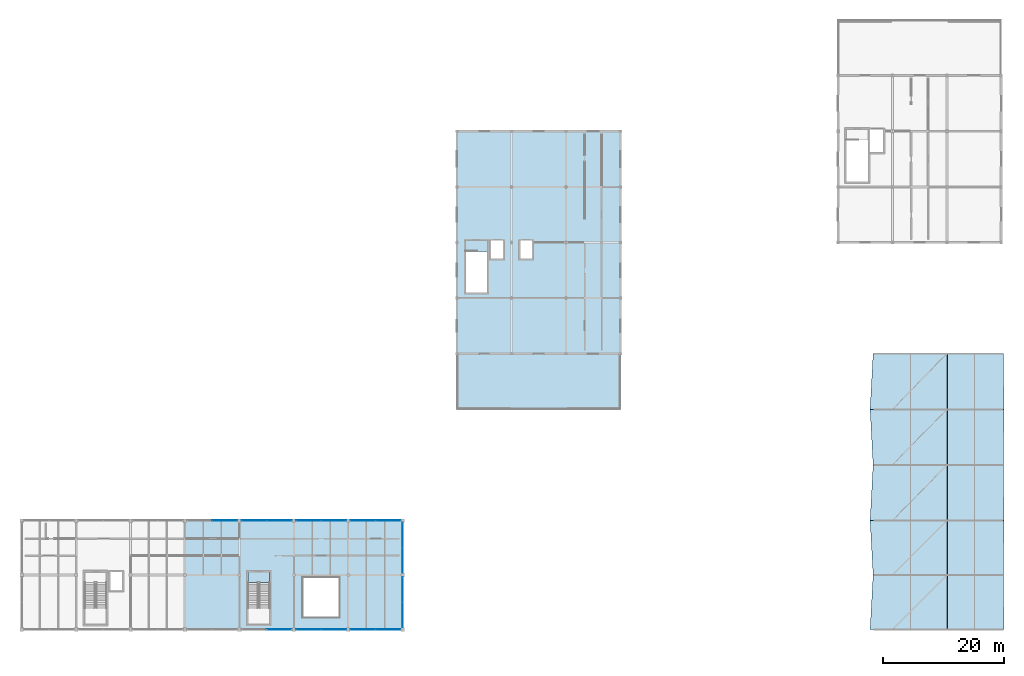
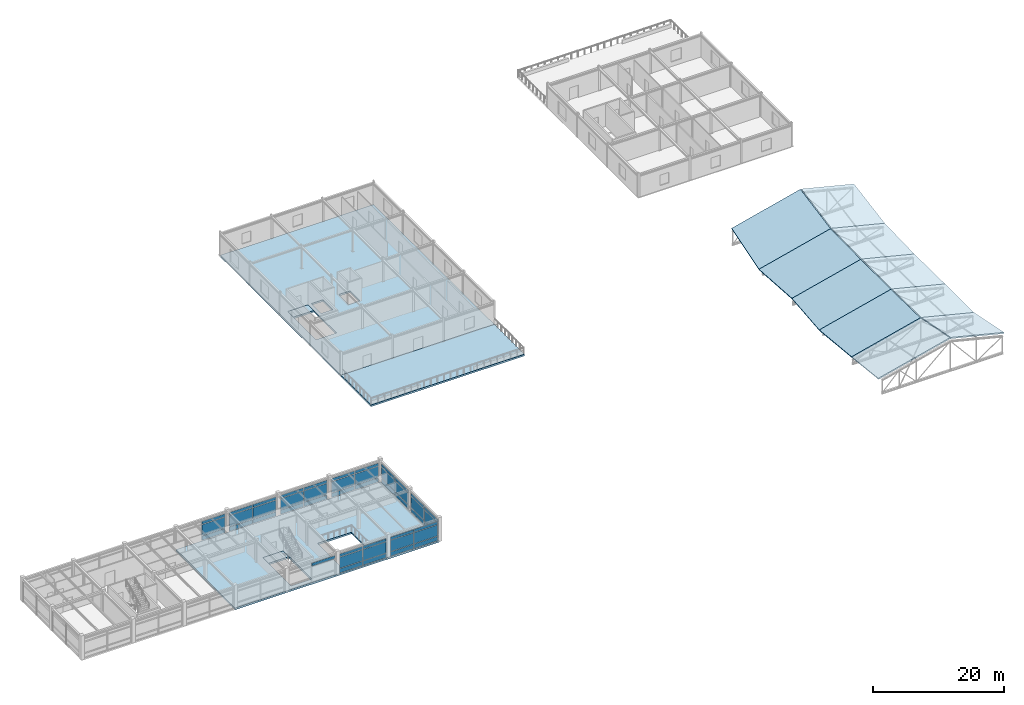
# One storey, part 22 of 33: 46 plates, 15 slabs, 9 elements without a shape of their own.
"""IFC4 building model written with IfcOpenShell, lengths in metres."""

from ifc_helpers import new_model, si_unit, direction, frame, origin, origin_2d, place, context, subcontext, project, spatial, polyline, rectangle, outline, extrude, material, layer, layer_set, type_object, element, aggregate, save


model = new_model("IFC4")

# Units and contexts
model_context = context("Model", 3, precision=1e-05, world=origin(), true_north=direction((0.0, 1.0)))
body_context = subcontext(model_context, "Body", "Model", "MODEL_VIEW")
ifc_project = project(units=[si_unit("LENGTHUNIT", "METRE"), si_unit("AREAUNIT", "SQUARE_METRE"), si_unit("VOLUMEUNIT", "CUBIC_METRE"), si_unit("PLANEANGLEUNIT", "RADIAN"), si_unit("MASSUNIT", "GRAM", prefix="KILO")], contexts=[model_context])

# Site, building, storey
site_placement = place(None, origin())
site = spatial("IfcSite", under=ifc_project, at=site_placement, CompositionType="ELEMENT")
building_placement = place(site_placement, origin())
building = spatial("IfcBuilding", under=site, at=building_placement, Name="Bozkorgan Art Gallery", CompositionType="ELEMENT")
storey_placement = place(building_placement, frame((0.0, 0.0, 19.5)))
storey = spatial("IfcBuildingStorey", under=building, at=storey_placement, Name="L04", CompositionType="ELEMENT", Elevation=19.5)

# Curtain wall, plates
ifc_material_1 = material(Name="Anodised Bronze Aluminium", Category="aluminium")
curtain_wall_type = type_object("IfcCurtainWallType", Name="CW-CW-71", PredefinedType="NOTDEFINED", material=ifc_material_1)
curtain_wall_1_placement = place(storey_placement, origin())
curtain_wall_1 = element("IfcCurtainWall", 1, at=curtain_wall_1_placement, inside=storey, type_object=curtain_wall_type, Name="L04 unitised curtain wall CW-V1-L04-1N-08", PredefinedType="NOTDEFINED")
ifc_material_2 = material(Name="Triple Low-E Laminated Glass", Category="glass")
ifc_layer_1 = layer(ifc_material_2, 0.0439453125, Name="Triple Low-E Laminated Glass")
ifc_layer_set_1 = layer_set([ifc_layer_1], Name="Triple Low-E Laminated Glass")
plate_type = type_object("IfcPlateType", Name="CWP-GLZ", PredefinedType="CURTAIN_PANEL", material=ifc_layer_set_1)
plate_1_placement = place(storey_placement, frame((35.576171875, 20.0, 0.10009765625), z_axis=(0.0, 0.0, 1.0), x_axis=(1.0, 0.0, 0.0)))
plate_1 = element("IfcPlate", 2, at=plate_1_placement, type_object=plate_type, Name="CW-71 panel 2.1", PredefinedType="CURTAIN_PANEL", context=body_context, shape_type="SweptSolid", body=[
    extrude(rectangle(XDim=4.08740234375, YDim=0.0439453125, at=origin_2d()), origin(), (0.0, 0.0, 1.0), 0.780029296875),
])
plate_2_placement = place(storey_placement, frame((35.576171875, 20.0, 0.9599609375), z_axis=(0.0, 0.0, 1.0), x_axis=(1.0, 0.0, 0.0)))
plate_2 = element("IfcPlate", 3, at=plate_2_placement, type_object=plate_type, Name="CW-71 panel 2.2", PredefinedType="CURTAIN_PANEL", context=body_context, shape_type="SweptSolid", body=[
    extrude(rectangle(XDim=4.08740234375, YDim=0.0439453125, at=origin_2d()), origin(), (0.0, 0.0, 1.0), 2.06494140625),
])
plate_3_placement = place(storey_placement, frame((35.576171875, 20.0, 3.10498046875), z_axis=(0.0, 0.0, 1.0), x_axis=(1.0, 0.0, 0.0)))
plate_3 = element("IfcPlate", 4, at=plate_3_placement, type_object=plate_type, Name="CW-71 panel 2.3", PredefinedType="CURTAIN_PANEL", context=body_context, shape_type="SweptSolid", body=[
    extrude(rectangle(XDim=4.08740234375, YDim=0.0439453125, at=origin_2d()), origin(), (0.0, 0.0, 1.0), 0.530029296875),
])
aggregate(curtain_wall_1, [plate_1, plate_2, plate_3])

# Curtain wall, plate
curtain_wall_2_placement = place(storey_placement, origin())
curtain_wall_2 = element("IfcCurtainWall", 5, at=curtain_wall_2_placement, inside=storey, type_object=curtain_wall_type, Name="L04 unitised curtain wall CW-V1-L04-1S-09", PredefinedType="NOTDEFINED")
plate_4_placement = place(storey_placement, frame((44.576171875, 2.0, 3.10498046875), z_axis=(0.0, 0.0, 1.0), x_axis=(1.0, 0.0, 0.0)))
plate_4 = element("IfcPlate", 6, at=plate_4_placement, type_object=plate_type, Name="CW-71 panel 2.3", PredefinedType="CURTAIN_PANEL", context=body_context, shape_type="SweptSolid", body=[
    extrude(rectangle(XDim=4.08740234375, YDim=0.0439453125, at=origin_2d()), origin(), (0.0, 0.0, 1.0), 0.530029296875),
])
aggregate(curtain_wall_2, [plate_4])

# Curtain wall, plates
curtain_wall_3_placement = place(storey_placement, origin())
curtain_wall_3 = element("IfcCurtainWall", 7, at=curtain_wall_3_placement, inside=storey, type_object=curtain_wall_type, Name="L04 unitised curtain wall CW-V1-L04-1N-10", PredefinedType="NOTDEFINED")
plate_5_placement = place(storey_placement, frame((40.423828125, 20.0, 0.10009765625), z_axis=(0.0, 0.0, 1.0), x_axis=(1.0, 0.0, 0.0)))
plate_5 = element("IfcPlate", 8, at=plate_5_placement, type_object=plate_type, Name="CW-71 panel 1.1", PredefinedType="CURTAIN_PANEL", context=body_context, shape_type="SweptSolid", body=[
    extrude(rectangle(XDim=4.08740234375, YDim=0.0439453125, at=origin_2d()), origin(), (0.0, 0.0, 1.0), 0.780029296875),
])
plate_6_placement = place(storey_placement, frame((40.423828125, 20.0, 0.9599609375), z_axis=(0.0, 0.0, 1.0), x_axis=(1.0, 0.0, 0.0)))
plate_6 = element("IfcPlate", 9, at=plate_6_placement, type_object=plate_type, Name="CW-71 panel 1.2", PredefinedType="CURTAIN_PANEL", context=body_context, shape_type="SweptSolid", body=[
    extrude(rectangle(XDim=4.08740234375, YDim=0.0439453125, at=origin_2d()), origin(), (0.0, 0.0, 1.0), 2.06494140625),
])
plate_7_placement = place(storey_placement, frame((40.423828125, 20.0, 3.10498046875), z_axis=(0.0, 0.0, 1.0), x_axis=(1.0, 0.0, 0.0)))
plate_7 = element("IfcPlate", 10, at=plate_7_placement, type_object=plate_type, Name="CW-71 panel 1.3", PredefinedType="CURTAIN_PANEL", context=body_context, shape_type="SweptSolid", body=[
    extrude(rectangle(XDim=4.08740234375, YDim=0.0439453125, at=origin_2d()), origin(), (0.0, 0.0, 1.0), 0.530029296875),
])
plate_8_placement = place(storey_placement, frame((44.576171875, 20.0, 0.10009765625), z_axis=(0.0, 0.0, 1.0), x_axis=(1.0, 0.0, 0.0)))
plate_8 = element("IfcPlate", 11, at=plate_8_placement, type_object=plate_type, Name="CW-71 panel 2.1", PredefinedType="CURTAIN_PANEL", context=body_context, shape_type="SweptSolid", body=[
    extrude(rectangle(XDim=4.08740234375, YDim=0.0439453125, at=origin_2d()), origin(), (0.0, 0.0, 1.0), 0.780029296875),
])
plate_9_placement = place(storey_placement, frame((44.576171875, 20.0, 0.9599609375), z_axis=(0.0, 0.0, 1.0), x_axis=(1.0, 0.0, 0.0)))
plate_9 = element("IfcPlate", 12, at=plate_9_placement, type_object=plate_type, Name="CW-71 panel 2.2", PredefinedType="CURTAIN_PANEL", context=body_context, shape_type="SweptSolid", body=[
    extrude(rectangle(XDim=4.08740234375, YDim=0.0439453125, at=origin_2d()), origin(), (0.0, 0.0, 1.0), 2.06494140625),
])
plate_10_placement = place(storey_placement, frame((44.576171875, 20.0, 3.10498046875), z_axis=(0.0, 0.0, 1.0), x_axis=(1.0, 0.0, 0.0)))
plate_10 = element("IfcPlate", 13, at=plate_10_placement, type_object=plate_type, Name="CW-71 panel 2.3", PredefinedType="CURTAIN_PANEL", context=body_context, shape_type="SweptSolid", body=[
    extrude(rectangle(XDim=4.08740234375, YDim=0.0439453125, at=origin_2d()), origin(), (0.0, 0.0, 1.0), 0.530029296875),
])
aggregate(curtain_wall_3, [plate_5, plate_6, plate_7, plate_8, plate_9, plate_10])

curtain_wall_4_placement = place(storey_placement, origin())
curtain_wall_4 = element("IfcCurtainWall", 14, at=curtain_wall_4_placement, inside=storey, type_object=curtain_wall_type, Name="L04 unitised curtain wall CW-V1-L04-1S-11", PredefinedType="NOTDEFINED")
plate_11_placement = place(storey_placement, frame((49.423828125, 2.0, 0.10009765625), z_axis=(0.0, 0.0, 1.0), x_axis=(1.0, 0.0, 0.0)))
plate_11 = element("IfcPlate", 15, at=plate_11_placement, type_object=plate_type, Name="CW-71 panel 1.1", PredefinedType="CURTAIN_PANEL", context=body_context, shape_type="SweptSolid", body=[
    extrude(rectangle(XDim=4.08740234375, YDim=0.0439453125, at=origin_2d()), origin(), (0.0, 0.0, 1.0), 0.780029296875),
])
plate_12_placement = place(storey_placement, frame((49.423828125, 2.0, 0.9599609375), z_axis=(0.0, 0.0, 1.0), x_axis=(1.0, 0.0, 0.0)))
plate_12 = element("IfcPlate", 16, at=plate_12_placement, type_object=plate_type, Name="CW-71 panel 1.2", PredefinedType="CURTAIN_PANEL", context=body_context, shape_type="SweptSolid", body=[
    extrude(rectangle(XDim=4.08740234375, YDim=0.0439453125, at=origin_2d()), origin(), (0.0, 0.0, 1.0), 2.06494140625),
])
plate_13_placement = place(storey_placement, frame((49.423828125, 2.0, 3.10498046875), z_axis=(0.0, 0.0, 1.0), x_axis=(1.0, 0.0, 0.0)))
plate_13 = element("IfcPlate", 17, at=plate_13_placement, type_object=plate_type, Name="CW-71 panel 1.3", PredefinedType="CURTAIN_PANEL", context=body_context, shape_type="SweptSolid", body=[
    extrude(rectangle(XDim=4.08740234375, YDim=0.0439453125, at=origin_2d()), origin(), (0.0, 0.0, 1.0), 0.530029296875),
])
plate_14_placement = place(storey_placement, frame((53.576171875, 2.0, 0.10009765625), z_axis=(0.0, 0.0, 1.0), x_axis=(1.0, 0.0, 0.0)))
plate_14 = element("IfcPlate", 18, at=plate_14_placement, type_object=plate_type, Name="CW-71 panel 2.1", PredefinedType="CURTAIN_PANEL", context=body_context, shape_type="SweptSolid", body=[
    extrude(rectangle(XDim=4.08740234375, YDim=0.0439453125, at=origin_2d()), origin(), (0.0, 0.0, 1.0), 0.780029296875),
])
plate_15_placement = place(storey_placement, frame((53.576171875, 2.0, 0.9599609375), z_axis=(0.0, 0.0, 1.0), x_axis=(1.0, 0.0, 0.0)))
plate_15 = element("IfcPlate", 19, at=plate_15_placement, type_object=plate_type, Name="CW-71 panel 2.2", PredefinedType="CURTAIN_PANEL", context=body_context, shape_type="SweptSolid", body=[
    extrude(rectangle(XDim=4.08740234375, YDim=0.0439453125, at=origin_2d()), origin(), (0.0, 0.0, 1.0), 2.06494140625),
])
plate_16_placement = place(storey_placement, frame((53.576171875, 2.0, 3.10498046875), z_axis=(0.0, 0.0, 1.0), x_axis=(1.0, 0.0, 0.0)))
plate_16 = element("IfcPlate", 20, at=plate_16_placement, type_object=plate_type, Name="CW-71 panel 2.3", PredefinedType="CURTAIN_PANEL", context=body_context, shape_type="SweptSolid", body=[
    extrude(rectangle(XDim=4.08740234375, YDim=0.0439453125, at=origin_2d()), origin(), (0.0, 0.0, 1.0), 0.530029296875),
])
aggregate(curtain_wall_4, [plate_11, plate_12, plate_13, plate_14, plate_15, plate_16])

curtain_wall_5_placement = place(storey_placement, origin())
curtain_wall_5 = element("IfcCurtainWall", 21, at=curtain_wall_5_placement, inside=storey, type_object=curtain_wall_type, Name="L04 unitised curtain wall CW-V1-L04-1N-12", PredefinedType="NOTDEFINED")
plate_17_placement = place(storey_placement, frame((49.423828125, 20.0, 0.10009765625), z_axis=(0.0, 0.0, 1.0), x_axis=(1.0, 0.0, 0.0)))
plate_17 = element("IfcPlate", 22, at=plate_17_placement, type_object=plate_type, Name="CW-71 panel 1.1", PredefinedType="CURTAIN_PANEL", context=body_context, shape_type="SweptSolid", body=[
    extrude(rectangle(XDim=4.08740234375, YDim=0.0439453125, at=origin_2d()), origin(), (0.0, 0.0, 1.0), 0.780029296875),
])
plate_18_placement = place(storey_placement, frame((49.423828125, 20.0, 0.9599609375), z_axis=(0.0, 0.0, 1.0), x_axis=(1.0, 0.0, 0.0)))
plate_18 = element("IfcPlate", 23, at=plate_18_placement, type_object=plate_type, Name="CW-71 panel 1.2", PredefinedType="CURTAIN_PANEL", context=body_context, shape_type="SweptSolid", body=[
    extrude(rectangle(XDim=4.08740234375, YDim=0.0439453125, at=origin_2d()), origin(), (0.0, 0.0, 1.0), 2.06494140625),
])
plate_19_placement = place(storey_placement, frame((49.423828125, 20.0, 3.10498046875), z_axis=(0.0, 0.0, 1.0), x_axis=(1.0, 0.0, 0.0)))
plate_19 = element("IfcPlate", 24, at=plate_19_placement, type_object=plate_type, Name="CW-71 panel 1.3", PredefinedType="CURTAIN_PANEL", context=body_context, shape_type="SweptSolid", body=[
    extrude(rectangle(XDim=4.08740234375, YDim=0.0439453125, at=origin_2d()), origin(), (0.0, 0.0, 1.0), 0.530029296875),
])
plate_20_placement = place(storey_placement, frame((53.576171875, 20.0, 0.10009765625), z_axis=(0.0, 0.0, 1.0), x_axis=(1.0, 0.0, 0.0)))
plate_20 = element("IfcPlate", 25, at=plate_20_placement, type_object=plate_type, Name="CW-71 panel 2.1", PredefinedType="CURTAIN_PANEL", context=body_context, shape_type="SweptSolid", body=[
    extrude(rectangle(XDim=4.08740234375, YDim=0.0439453125, at=origin_2d()), origin(), (0.0, 0.0, 1.0), 0.780029296875),
])
plate_21_placement = place(storey_placement, frame((53.576171875, 20.0, 0.9599609375), z_axis=(0.0, 0.0, 1.0), x_axis=(1.0, 0.0, 0.0)))
plate_21 = element("IfcPlate", 26, at=plate_21_placement, type_object=plate_type, Name="CW-71 panel 2.2", PredefinedType="CURTAIN_PANEL", context=body_context, shape_type="SweptSolid", body=[
    extrude(rectangle(XDim=4.08740234375, YDim=0.0439453125, at=origin_2d()), origin(), (0.0, 0.0, 1.0), 2.06494140625),
])
plate_22_placement = place(storey_placement, frame((53.576171875, 20.0, 3.10498046875), z_axis=(0.0, 0.0, 1.0), x_axis=(1.0, 0.0, 0.0)))
plate_22 = element("IfcPlate", 27, at=plate_22_placement, type_object=plate_type, Name="CW-71 panel 2.3", PredefinedType="CURTAIN_PANEL", context=body_context, shape_type="SweptSolid", body=[
    extrude(rectangle(XDim=4.08740234375, YDim=0.0439453125, at=origin_2d()), origin(), (0.0, 0.0, 1.0), 0.530029296875),
])
aggregate(curtain_wall_5, [plate_17, plate_18, plate_19, plate_20, plate_21, plate_22])

curtain_wall_6_placement = place(storey_placement, origin())
curtain_wall_6 = element("IfcCurtainWall", 28, at=curtain_wall_6_placement, inside=storey, type_object=curtain_wall_type, Name="L04 unitised curtain wall CW-V1-L04-1S-13", PredefinedType="NOTDEFINED")
plate_23_placement = place(storey_placement, frame((58.423828125, 2.0, 0.10009765625), z_axis=(0.0, 0.0, 1.0), x_axis=(1.0, 0.0, 0.0)))
plate_23 = element("IfcPlate", 29, at=plate_23_placement, type_object=plate_type, Name="CW-71 panel 1.1", PredefinedType="CURTAIN_PANEL", context=body_context, shape_type="SweptSolid", body=[
    extrude(rectangle(XDim=4.08740234375, YDim=0.0439453125, at=origin_2d()), origin(), (0.0, 0.0, 1.0), 0.780029296875),
])
plate_24_placement = place(storey_placement, frame((58.423828125, 2.0, 0.9599609375), z_axis=(0.0, 0.0, 1.0), x_axis=(1.0, 0.0, 0.0)))
plate_24 = element("IfcPlate", 30, at=plate_24_placement, type_object=plate_type, Name="CW-71 panel 1.2", PredefinedType="CURTAIN_PANEL", context=body_context, shape_type="SweptSolid", body=[
    extrude(rectangle(XDim=4.08740234375, YDim=0.0439453125, at=origin_2d()), origin(), (0.0, 0.0, 1.0), 2.06494140625),
])
plate_25_placement = place(storey_placement, frame((58.423828125, 2.0, 3.10498046875), z_axis=(0.0, 0.0, 1.0), x_axis=(1.0, 0.0, 0.0)))
plate_25 = element("IfcPlate", 31, at=plate_25_placement, type_object=plate_type, Name="CW-71 panel 1.3", PredefinedType="CURTAIN_PANEL", context=body_context, shape_type="SweptSolid", body=[
    extrude(rectangle(XDim=4.08740234375, YDim=0.0439453125, at=origin_2d()), origin(), (0.0, 0.0, 1.0), 0.530029296875),
])
plate_26_placement = place(storey_placement, frame((62.576171875, 2.0, 0.10009765625), z_axis=(0.0, 0.0, 1.0), x_axis=(1.0, 0.0, 0.0)))
plate_26 = element("IfcPlate", 32, at=plate_26_placement, type_object=plate_type, Name="CW-71 panel 2.1", PredefinedType="CURTAIN_PANEL", context=body_context, shape_type="SweptSolid", body=[
    extrude(rectangle(XDim=4.08740234375, YDim=0.0439453125, at=origin_2d()), origin(), (0.0, 0.0, 1.0), 0.780029296875),
])
plate_27_placement = place(storey_placement, frame((62.576171875, 2.0, 0.9599609375), z_axis=(0.0, 0.0, 1.0), x_axis=(1.0, 0.0, 0.0)))
plate_27 = element("IfcPlate", 33, at=plate_27_placement, type_object=plate_type, Name="CW-71 panel 2.2", PredefinedType="CURTAIN_PANEL", context=body_context, shape_type="SweptSolid", body=[
    extrude(rectangle(XDim=4.08740234375, YDim=0.0439453125, at=origin_2d()), origin(), (0.0, 0.0, 1.0), 2.06494140625),
])
plate_28_placement = place(storey_placement, frame((62.576171875, 2.0, 3.10498046875), z_axis=(0.0, 0.0, 1.0), x_axis=(1.0, 0.0, 0.0)))
plate_28 = element("IfcPlate", 34, at=plate_28_placement, type_object=plate_type, Name="CW-71 panel 2.3", PredefinedType="CURTAIN_PANEL", context=body_context, shape_type="SweptSolid", body=[
    extrude(rectangle(XDim=4.08740234375, YDim=0.0439453125, at=origin_2d()), origin(), (0.0, 0.0, 1.0), 0.530029296875),
])
aggregate(curtain_wall_6, [plate_23, plate_24, plate_25, plate_26, plate_27, plate_28])

curtain_wall_7_placement = place(storey_placement, origin())
curtain_wall_7 = element("IfcCurtainWall", 35, at=curtain_wall_7_placement, inside=storey, type_object=curtain_wall_type, Name="L04 unitised curtain wall CW-V1-L04-1N-14", PredefinedType="NOTDEFINED")
plate_29_placement = place(storey_placement, frame((58.423828125, 20.0, 0.10009765625), z_axis=(0.0, 0.0, 1.0), x_axis=(1.0, 0.0, 0.0)))
plate_29 = element("IfcPlate", 36, at=plate_29_placement, type_object=plate_type, Name="CW-71 panel 1.1", PredefinedType="CURTAIN_PANEL", context=body_context, shape_type="SweptSolid", body=[
    extrude(rectangle(XDim=4.08740234375, YDim=0.0439453125, at=origin_2d()), origin(), (0.0, 0.0, 1.0), 0.780029296875),
])
plate_30_placement = place(storey_placement, frame((58.423828125, 20.0, 0.9599609375), z_axis=(0.0, 0.0, 1.0), x_axis=(1.0, 0.0, 0.0)))
plate_30 = element("IfcPlate", 37, at=plate_30_placement, type_object=plate_type, Name="CW-71 panel 1.2", PredefinedType="CURTAIN_PANEL", context=body_context, shape_type="SweptSolid", body=[
    extrude(rectangle(XDim=4.08740234375, YDim=0.0439453125, at=origin_2d()), origin(), (0.0, 0.0, 1.0), 2.06494140625),
])
plate_31_placement = place(storey_placement, frame((58.423828125, 20.0, 3.10498046875), z_axis=(0.0, 0.0, 1.0), x_axis=(1.0, 0.0, 0.0)))
plate_31 = element("IfcPlate", 38, at=plate_31_placement, type_object=plate_type, Name="CW-71 panel 1.3", PredefinedType="CURTAIN_PANEL", context=body_context, shape_type="SweptSolid", body=[
    extrude(rectangle(XDim=4.08740234375, YDim=0.0439453125, at=origin_2d()), origin(), (0.0, 0.0, 1.0), 0.530029296875),
])
plate_32_placement = place(storey_placement, frame((62.576171875, 20.0, 0.10009765625), z_axis=(0.0, 0.0, 1.0), x_axis=(1.0, 0.0, 0.0)))
plate_32 = element("IfcPlate", 39, at=plate_32_placement, type_object=plate_type, Name="CW-71 panel 2.1", PredefinedType="CURTAIN_PANEL", context=body_context, shape_type="SweptSolid", body=[
    extrude(rectangle(XDim=4.08740234375, YDim=0.0439453125, at=origin_2d()), origin(), (0.0, 0.0, 1.0), 0.780029296875),
])
plate_33_placement = place(storey_placement, frame((62.576171875, 20.0, 0.9599609375), z_axis=(0.0, 0.0, 1.0), x_axis=(1.0, 0.0, 0.0)))
plate_33 = element("IfcPlate", 40, at=plate_33_placement, type_object=plate_type, Name="CW-71 panel 2.2", PredefinedType="CURTAIN_PANEL", context=body_context, shape_type="SweptSolid", body=[
    extrude(rectangle(XDim=4.08740234375, YDim=0.0439453125, at=origin_2d()), origin(), (0.0, 0.0, 1.0), 2.06494140625),
])
plate_34_placement = place(storey_placement, frame((62.576171875, 20.0, 3.10498046875), z_axis=(0.0, 0.0, 1.0), x_axis=(1.0, 0.0, 0.0)))
plate_34 = element("IfcPlate", 41, at=plate_34_placement, type_object=plate_type, Name="CW-71 panel 2.3", PredefinedType="CURTAIN_PANEL", context=body_context, shape_type="SweptSolid", body=[
    extrude(rectangle(XDim=4.08740234375, YDim=0.0439453125, at=origin_2d()), origin(), (0.0, 0.0, 1.0), 0.530029296875),
])
aggregate(curtain_wall_7, [plate_29, plate_30, plate_31, plate_32, plate_33, plate_34])

curtain_wall_8_placement = place(storey_placement, origin())
curtain_wall_8 = element("IfcCurtainWall", 42, at=curtain_wall_8_placement, inside=storey, type_object=curtain_wall_type, Name="L04 unitised curtain wall CW-V1-L04-1E-16", PredefinedType="NOTDEFINED")
plate_35_placement = place(storey_placement, frame((65.0, 4.423828125, 0.10009765625), z_axis=(0.0, 0.0, 1.0), x_axis=(0.0, 1.0, 0.0)))
plate_35 = element("IfcPlate", 43, at=plate_35_placement, type_object=plate_type, Name="CW-71 panel 1.1", PredefinedType="CURTAIN_PANEL", context=body_context, shape_type="SweptSolid", body=[
    extrude(rectangle(XDim=4.08740234375, YDim=0.0439453125, at=origin_2d()), origin(), (0.0, 0.0, 1.0), 0.780029296875),
])
plate_36_placement = place(storey_placement, frame((65.0, 4.423828125, 0.9599609375), z_axis=(0.0, 0.0, 1.0), x_axis=(0.0, 1.0, 0.0)))
plate_36 = element("IfcPlate", 44, at=plate_36_placement, type_object=plate_type, Name="CW-71 panel 1.2", PredefinedType="CURTAIN_PANEL", context=body_context, shape_type="SweptSolid", body=[
    extrude(rectangle(XDim=4.08740234375, YDim=0.0439453125, at=origin_2d()), origin(), (0.0, 0.0, 1.0), 2.06494140625),
])
plate_37_placement = place(storey_placement, frame((65.0, 4.423828125, 3.10498046875), z_axis=(0.0, 0.0, 1.0), x_axis=(0.0, 1.0, 0.0)))
plate_37 = element("IfcPlate", 45, at=plate_37_placement, type_object=plate_type, Name="CW-71 panel 1.3", PredefinedType="CURTAIN_PANEL", context=body_context, shape_type="SweptSolid", body=[
    extrude(rectangle(XDim=4.08740234375, YDim=0.0439453125, at=origin_2d()), origin(), (0.0, 0.0, 1.0), 0.530029296875),
])
plate_38_placement = place(storey_placement, frame((65.0, 8.576171875, 0.10009765625), z_axis=(0.0, 0.0, 1.0), x_axis=(0.0, 1.0, 0.0)))
plate_38 = element("IfcPlate", 46, at=plate_38_placement, type_object=plate_type, Name="CW-71 panel 2.1", PredefinedType="CURTAIN_PANEL", context=body_context, shape_type="SweptSolid", body=[
    extrude(rectangle(XDim=4.08740234375, YDim=0.0439453125, at=origin_2d()), origin(), (0.0, 0.0, 1.0), 0.780029296875),
])
plate_39_placement = place(storey_placement, frame((65.0, 8.576171875, 0.9599609375), z_axis=(0.0, 0.0, 1.0), x_axis=(0.0, 1.0, 0.0)))
plate_39 = element("IfcPlate", 47, at=plate_39_placement, type_object=plate_type, Name="CW-71 panel 2.2", PredefinedType="CURTAIN_PANEL", context=body_context, shape_type="SweptSolid", body=[
    extrude(rectangle(XDim=4.08740234375, YDim=0.0439453125, at=origin_2d()), origin(), (0.0, 0.0, 1.0), 2.06494140625),
])
plate_40_placement = place(storey_placement, frame((65.0, 8.576171875, 3.10498046875), z_axis=(0.0, 0.0, 1.0), x_axis=(0.0, 1.0, 0.0)))
plate_40 = element("IfcPlate", 48, at=plate_40_placement, type_object=plate_type, Name="CW-71 panel 2.3", PredefinedType="CURTAIN_PANEL", context=body_context, shape_type="SweptSolid", body=[
    extrude(rectangle(XDim=4.08740234375, YDim=0.0439453125, at=origin_2d()), origin(), (0.0, 0.0, 1.0), 0.530029296875),
])
aggregate(curtain_wall_8, [plate_35, plate_36, plate_37, plate_38, plate_39, plate_40])

curtain_wall_9_placement = place(storey_placement, origin())
curtain_wall_9 = element("IfcCurtainWall", 49, at=curtain_wall_9_placement, inside=storey, type_object=curtain_wall_type, Name="L04 unitised curtain wall CW-V1-L04-1E-18", PredefinedType="NOTDEFINED")
plate_41_placement = place(storey_placement, frame((65.0, 13.423828125, 0.10009765625), z_axis=(0.0, 0.0, 1.0), x_axis=(0.0, 1.0, 0.0)))
plate_41 = element("IfcPlate", 50, at=plate_41_placement, type_object=plate_type, Name="CW-71 panel 1.1", PredefinedType="CURTAIN_PANEL", context=body_context, shape_type="SweptSolid", body=[
    extrude(rectangle(XDim=4.08740234375, YDim=0.0439453125, at=origin_2d()), origin(), (0.0, 0.0, 1.0), 0.780029296875),
])
plate_42_placement = place(storey_placement, frame((65.0, 13.423828125, 0.9599609375), z_axis=(0.0, 0.0, 1.0), x_axis=(0.0, 1.0, 0.0)))
plate_42 = element("IfcPlate", 51, at=plate_42_placement, type_object=plate_type, Name="CW-71 panel 1.2", PredefinedType="CURTAIN_PANEL", context=body_context, shape_type="SweptSolid", body=[
    extrude(rectangle(XDim=4.08740234375, YDim=0.0439453125, at=origin_2d()), origin(), (0.0, 0.0, 1.0), 2.06494140625),
])
plate_43_placement = place(storey_placement, frame((65.0, 13.423828125, 3.10498046875), z_axis=(0.0, 0.0, 1.0), x_axis=(0.0, 1.0, 0.0)))
plate_43 = element("IfcPlate", 52, at=plate_43_placement, type_object=plate_type, Name="CW-71 panel 1.3", PredefinedType="CURTAIN_PANEL", context=body_context, shape_type="SweptSolid", body=[
    extrude(rectangle(XDim=4.08740234375, YDim=0.0439453125, at=origin_2d()), origin(), (0.0, 0.0, 1.0), 0.530029296875),
])
plate_44_placement = place(storey_placement, frame((65.0, 17.576171875, 0.10009765625), z_axis=(0.0, 0.0, 1.0), x_axis=(0.0, 1.0, 0.0)))
plate_44 = element("IfcPlate", 53, at=plate_44_placement, type_object=plate_type, Name="CW-71 panel 2.1", PredefinedType="CURTAIN_PANEL", context=body_context, shape_type="SweptSolid", body=[
    extrude(rectangle(XDim=4.08740234375, YDim=0.0439453125, at=origin_2d()), origin(), (0.0, 0.0, 1.0), 0.780029296875),
])
plate_45_placement = place(storey_placement, frame((65.0, 17.576171875, 0.9599609375), z_axis=(0.0, 0.0, 1.0), x_axis=(0.0, 1.0, 0.0)))
plate_45 = element("IfcPlate", 54, at=plate_45_placement, type_object=plate_type, Name="CW-71 panel 2.2", PredefinedType="CURTAIN_PANEL", context=body_context, shape_type="SweptSolid", body=[
    extrude(rectangle(XDim=4.08740234375, YDim=0.0439453125, at=origin_2d()), origin(), (0.0, 0.0, 1.0), 2.06494140625),
])
plate_46_placement = place(storey_placement, frame((65.0, 17.576171875, 3.10498046875), z_axis=(0.0, 0.0, 1.0), x_axis=(0.0, 1.0, 0.0)))
plate_46 = element("IfcPlate", 55, at=plate_46_placement, type_object=plate_type, Name="CW-71 panel 2.3", PredefinedType="CURTAIN_PANEL", context=body_context, shape_type="SweptSolid", body=[
    extrude(rectangle(XDim=4.08740234375, YDim=0.0439453125, at=origin_2d()), origin(), (0.0, 0.0, 1.0), 0.530029296875),
])
aggregate(curtain_wall_9, [plate_41, plate_42, plate_43, plate_44, plate_45, plate_46])

# Slabs
ifc_material_3 = material(Name="Concrete C35/45", Category="concrete")
ifc_layer_2 = layer(ifc_material_3, 0.25, Name="Concrete C35/45")
ifc_layer_set_2 = layer_set([ifc_layer_2], Name="Concrete C35/45")
slab_type_1 = type_object("IfcSlabType", Name="LAND-CORE2", PredefinedType="LANDING", material=ifc_layer_set_2)
slab_1_placement = place(storey_placement, frame((0.0, 0.0, -0.320068359375)))
element("IfcSlab", 56, at=slab_1_placement, inside=storey, type_object=slab_type_1, Name="ST2 L04 floor landing", PredefinedType="LANDING", context=body_context, shape_type="SweptSolid", body=[
    extrude(outline(polyline([(75.39990234375, 64.550048828125), (79.0, 64.550048828125), (79.0, 66.300048828125), (75.39990234375, 66.300048828125), (75.39990234375, 64.550048828125)])), origin(), (0.0, 0.0, 1.0), 0.320068359375),
])
ifc_layer_3 = layer(ifc_material_3, 0.25, Name="Concrete C35/45")
ifc_layer_set_3 = layer_set([ifc_layer_3], Name="Concrete C35/45")
slab_type_2 = type_object("IfcSlabType", Name="LAND-CORE7", PredefinedType="LANDING", material=ifc_layer_set_3)
slab_2_placement = place(storey_placement, frame((0.0, 0.0, -0.320068359375)))
element("IfcSlab", 57, at=slab_2_placement, inside=storey, type_object=slab_type_2, Name="ST12 L04 floor landing", PredefinedType="LANDING", context=body_context, shape_type="SweptSolid", body=[
    extrude(outline(polyline([(39.39990234375, 9.75), (43.0, 9.75), (43.0, 11.5), (39.39990234375, 11.5), (39.39990234375, 9.75)])), origin(), (0.0, 0.0, 1.0), 0.320068359375),
])
ifc_layer_4 = layer(ifc_material_3, 0.219970703125, Name="Concrete C35/45")
ifc_layer_set_4 = layer_set([ifc_layer_4], Name="Concrete C35/45")
slab_type_3 = type_object("IfcSlabType", Name="SLAB-RF-44", PredefinedType="ROOF", material=ifc_layer_set_4)
slab_3_placement = place(storey_placement, frame((142.300048828125, 2.0, 3.11962890625), z_axis=(-0.23777674987, 0.184243875875, 0.953685698448), x_axis=(0.970296605212, -6.33949e-07, 0.241918370354)))
element("IfcSlab", 58, at=slab_3_placement, inside=storey, type_object=slab_type_3, Name="ROOF-V6-MAIN swept-eave pitched roof slab 1W", PredefinedType="ROOF", context=body_context, shape_type="SweptSolid", body=[
    extrude(outline(polyline([(0.0, 0.0), (13.006212347926606, 1.1102230246251565e-16), (12.58556635096396, 9.156766701518604), (0.09468303983519166, 9.156750256120576), (0.0, 0.0)])), origin(), (0.0, 0.0, -1.0), 0.219970703125),
])
slab_4_placement = place(storey_placement, frame((155.080078125, 2.0, 6.26611328125), z_axis=(0.237780795332, 0.184248175475, 0.953683859151), x_axis=(0.970295555817, 5.452e-08, -0.241922579271)))
element("IfcSlab", 59, at=slab_4_placement, inside=storey, type_object=slab_type_3, Name="ROOF-V6-MAIN swept-eave pitched roof slab 1E", PredefinedType="ROOF", context=body_context, shape_type="SweptSolid", body=[
    extrude(outline(polyline([(0.0, 0.0), (9.656721264100966, -5.551115123125783e-17), (9.974457502862593, 9.156765539399885), (0.4206481004351947, 9.15676660499739), (0.0, 0.0)])), origin(), (0.0, 0.0, -1.0), 0.219970703125),
])
slab_5_placement = place(storey_placement, frame((142.800048828125, 11.0, 1.505615234375), z_axis=(-0.241884238355, 0.016769165497, 0.970160198278), x_axis=(0.970296634208, 6.1118e-08, 0.241918254053)))
element("IfcSlab", 60, at=slab_5_placement, inside=storey, type_object=slab_type_3, Name="ROOF-V6-MAIN swept-eave pitched roof slab 2W", PredefinedType="ROOF", context=body_context, shape_type="SweptSolid", body=[
    extrude(outline(polyline([(0.0, 0.0), (12.490883311136802, 0.0), (12.453261320223659, 9.001264927821705), (-0.552951027700172, 9.001266486370731), (0.0, 0.0)])), origin(), (0.0, 0.0, -1.0), 0.219970703125),
])
slab_6_placement = place(storey_placement, frame((155.080078125, 11.0, 4.52734375), z_axis=(0.241888571336, 0.016764412891, 0.970159200089), x_axis=(0.970295558311, -5.101e-09, -0.241922569271)))
element("IfcSlab", 61, at=slab_6_placement, inside=storey, type_object=slab_type_3, Name="ROOF-V6-MAIN swept-eave pitched roof slab 2E", PredefinedType="ROOF", context=body_context, shape_type="SweptSolid", body=[
    extrude(outline(polyline([(0.0, 0.0), (9.553809402427444, 1.3877787807814457e-17), (9.694344430261317, 9.0012650210254), (0.03762316616036689, 9.00126492302418), (0.0, 0.0)])), origin(), (0.0, 0.0, -1.0), 0.219970703125),
])
slab_7_placement = place(storey_placement, frame((142.300048828125, 20.0, 1.225341796875), z_axis=(-0.241918255045, -4.949097e-06, 0.970296633948), x_axis=(0.97029663396, 1.7e-11, 0.241918255048)))
element("IfcSlab", 62, at=slab_7_placement, inside=storey, type_object=slab_type_3, Name="ROOF-V6-MAIN swept-eave pitched roof slab 3W", PredefinedType="ROOF", context=body_context, shape_type="SweptSolid", body=[
    extrude(outline(polyline([(0.0, 0.0), (13.006212347923901, 3.3881317890172014e-21), (13.006212348083295, 9.199951171762331), (0.5153290369465171, 9.199951172204083), (0.0, 0.0)])), origin(), (0.0, 0.0, -1.0), 0.219970703125),
])
slab_8_placement = place(storey_placement, frame((155.080078125, 20.0, 4.371826171875), z_axis=(0.241922569354, -3.16006e-07, 0.97029555829), x_axis=(0.97029555829, 0.0, -0.241922569354)))
element("IfcSlab", 63, at=slab_8_placement, inside=storey, type_object=slab_type_3, Name="ROOF-V6-MAIN swept-eave pitched roof slab 3E", PredefinedType="ROOF", context=body_context, shape_type="SweptSolid", body=[
    extrude(outline(polyline([(0.0, 0.0), (9.656721264100952, 0.0), (9.553809402426568, 9.19995117187637), (-8.75247684085218e-13, 9.199951171874542), (0.0, 0.0)])), origin(), (0.0, 0.0, -1.0), 0.219970703125),
])
slab_9_placement = place(storey_placement, frame((142.800048828125, 29.199951171875, 1.35009765625), z_axis=(-0.241901370813, -0.014631972889, 0.970190513337), x_axis=(0.970294386976, -1.89258e-07, 0.241927267177)))
element("IfcSlab", 64, at=slab_9_placement, inside=storey, type_object=slab_type_3, Name="ROOF-V6-MAIN swept-eave pitched roof slab 4W", PredefinedType="ROOF", context=body_context, shape_type="SweptSolid", body=[
    extrude(outline(polyline([(0.0, 0.0), (12.49088331017488, 0.0), (12.524489141033309, 9.200938530732103), (-0.4817822710264636, 9.20093370466262), (0.0, 0.0)])), origin(), (0.0, 0.0, -1.0), 0.219970703125),
])
slab_10_placement = place(storey_placement, frame((155.080078125, 29.199951171875, 4.371826171875), z_axis=(0.241896609668, -0.014649232349, 0.970191439986), x_axis=(0.970295558306, 4.457e-09, -0.241922569291)))
element("IfcSlab", 65, at=slab_10_placement, inside=storey, type_object=slab_type_3, Name="ROOF-V6-MAIN swept-eave pitched roof slab 4E", PredefinedType="ROOF", context=body_context, shape_type="SweptSolid", body=[
    extrude(outline(polyline([(0.0, 0.0), (9.553809402427444, -6.938893903907228e-18), (9.623114385692295, 9.200938442687654), (-0.033606878408658426, 9.200938528323974), (0.0, 0.0)])), origin(), (0.0, 0.0, -1.0), 0.219970703125),
])
slab_11_placement = place(storey_placement, frame((142.300048828125, 38.39990234375, 1.364013671875), z_axis=(-0.237893800085, -0.182040036358, 0.954079642925), x_axis=(0.970292113462, 5.60733e-07, 0.241936385344)))
element("IfcSlab", 66, at=slab_11_placement, inside=storey, type_object=slab_type_3, Name="ROOF-V6-MAIN swept-eave pitched roof slab 5W", PredefinedType="ROOF", context=body_context, shape_type="SweptSolid", body=[
    extrude(outline(polyline([(0.0, 0.0), (13.006271413002445, 0.0), (13.430964709214145, 9.356524839248165), (0.9400223346103223, 9.356539379324111), (0.0, 0.0)])), origin(), (0.0, 0.0, -1.0), 0.219970703125),
])
slab_12_placement = place(storey_placement, frame((155.080078125, 38.39990234375, 4.5107421875), z_axis=(0.237880461318, -0.182036746822, 0.954083596405), x_axis=(0.970295555876, -5.3888e-08, -0.241922579034)))
element("IfcSlab", 67, at=slab_12_placement, inside=storey, type_object=slab_type_3, Name="ROOF-V6-MAIN swept-eave pitched roof slab 5E", PredefinedType="ROOF", context=body_context, shape_type="SweptSolid", body=[
    extrude(outline(polyline([(0.0, 0.0), (9.656721264100966, -1.1102230246251565e-16), (9.129145004485649, 9.356527203790936), (-0.4246643979417517, 9.356526150983207), (0.0, 0.0)])), origin(), (0.0, 0.0, -1.0), 0.219970703125),
])
ifc_layer_5 = layer(ifc_material_3, 0.320068359375, Name="Concrete C35/45")
ifc_layer_set_5 = layer_set([ifc_layer_5], Name="Concrete C35/45")
slab_type_4 = type_object("IfcSlabType", Name="SLAB-SL-59", PredefinedType="FLOOR", material=ifc_layer_set_5)
slab_13_placement = place(storey_placement, frame((0.0, 0.0, -0.320068359375)))
element("IfcSlab", 68, at=slab_13_placement, inside=storey, type_object=slab_type_4, Name="V1 L04 floor slab 1.2", PredefinedType="FLOOR", context=body_context, shape_type="SweptSolid", body=[
    extrude(outline(polyline([(29.0, 2.0), (65.0, 2.0), (65.0, 20.0), (29.0, 20.0), (29.0, 2.0)]), holes=[polyline([(39.39990234375, 2.85009765625), (43.0, 2.85009765625), (43.0, 11.5), (39.39990234375, 11.5), (39.39990234375, 2.85009765625)]), polyline([(48.5, 4.0), (54.5, 4.0), (54.5, 10.60009765625), (48.5, 10.60009765625), (48.5, 4.0)])]), origin(), (0.0, 0.0, 1.0), 0.320068359375),
])
slab_14_placement = place(storey_placement, frame((0.0, 0.0, -0.320068359375)))
element("IfcSlab", 69, at=slab_14_placement, inside=storey, type_object=slab_type_4, Name="V4 L04 floor slab 1.1", PredefinedType="FLOOR", context=body_context, shape_type="SweptSolid", body=[
    extrude(outline(polyline([(74.0, 47.60009765625), (101.0, 47.60009765625), (101.0, 84.39990234375), (74.0, 84.39990234375), (74.0, 47.60009765625)]), holes=[polyline([(75.39990234375, 57.64990234375), (79.0, 57.64990234375), (79.0, 66.300048828125), (75.39990234375, 66.300048828125), (75.39990234375, 57.64990234375)]), polyline([(79.60009765625, 63.300048828125), (81.60009765625, 63.300048828125), (81.60009765625, 66.300048828125), (79.60009765625, 66.300048828125), (79.60009765625, 63.300048828125)]), polyline([(84.39990234375, 63.300048828125), (86.39990234375, 63.300048828125), (86.39990234375, 66.300048828125), (84.39990234375, 66.300048828125), (84.39990234375, 63.300048828125)])]), origin(), (0.0, 0.0, 1.0), 0.320068359375),
])
ifc_layer_6 = layer(ifc_material_3, 0.320068359375, Name="Concrete C35/45")
ifc_layer_set_6 = layer_set([ifc_layer_6], Name="Concrete C35/45")
slab_type_5 = type_object("IfcSlabType", Name="SLAB-TR-56", PredefinedType="FLOOR", material=ifc_layer_set_6)
slab_15_placement = place(storey_placement, frame((0.0, 0.0, -0.320068359375)))
element("IfcSlab", 70, at=slab_15_placement, inside=storey, type_object=slab_type_5, Name="L04 Planted Roof Garden", PredefinedType="FLOOR", context=body_context, shape_type="SweptSolid", body=[
    extrude(outline(polyline([(74.0, 38.39990234375), (101.0, 38.39990234375), (101.0, 47.60009765625), (74.0, 47.60009765625), (74.0, 38.39990234375)])), origin(), (0.0, 0.0, 1.0), 0.320068359375),
])

save(model, "model.ifc")
